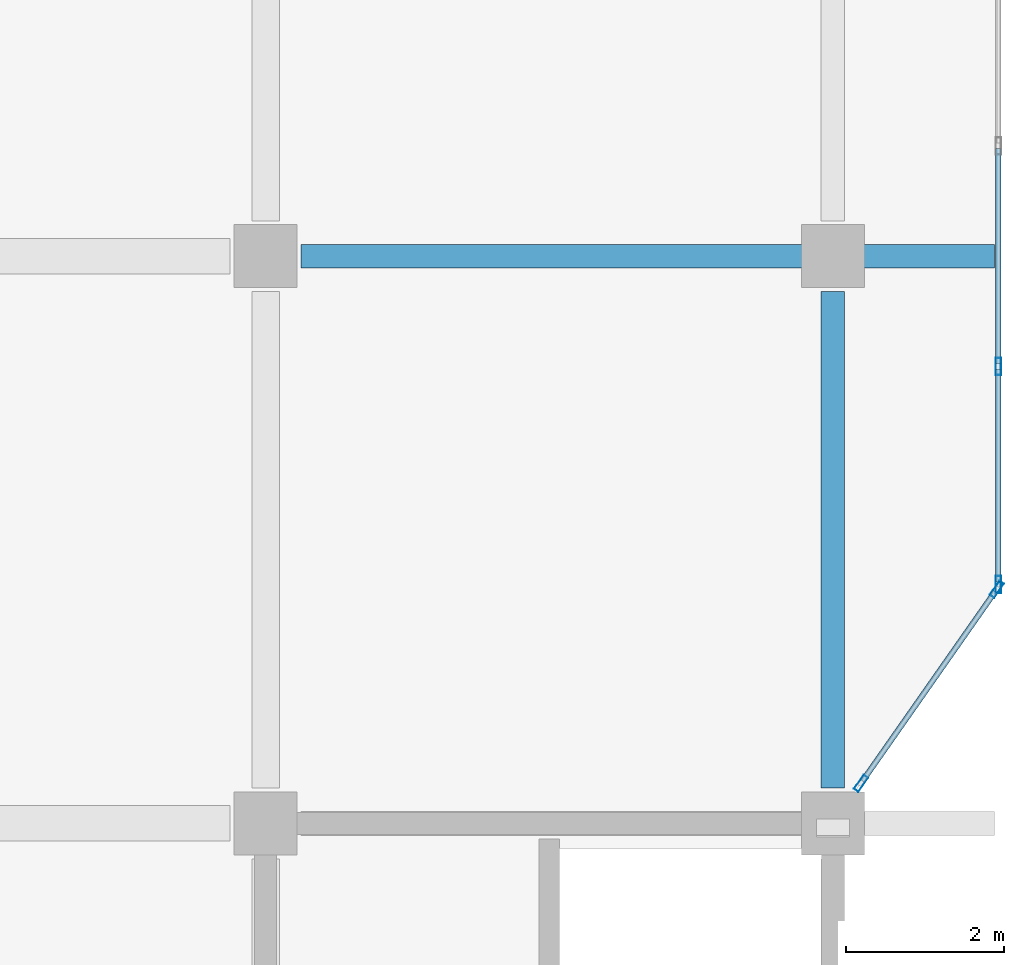
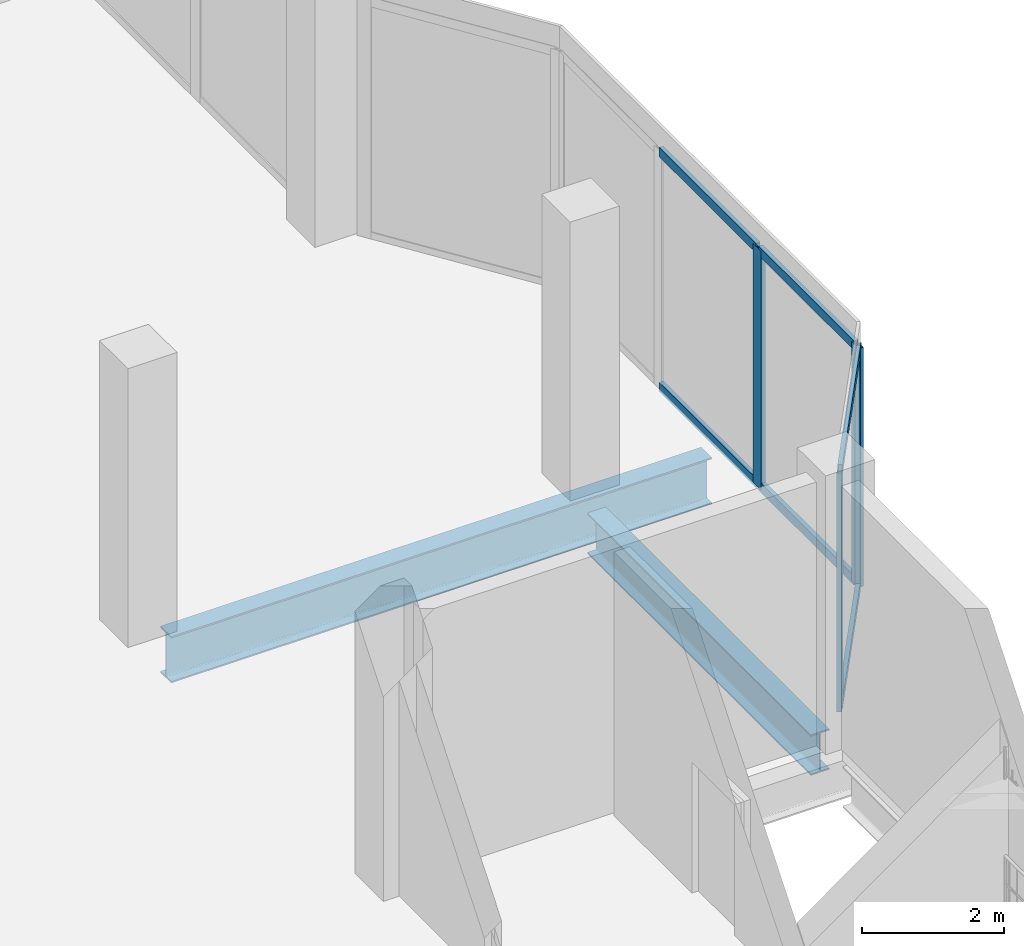
# One storey, part 47 of 99: 10 members, 2 beams, 2 elements without a shape of their own.
"""IFC4 building model written with IfcOpenShell, lengths in metres."""

from ifc_helpers import new_model, si_unit, direction, frame, origin, origin_2d, place, context, subcontext, project, spatial, hollow_rectangle, i_section, extrude, material, material_profile, profile_set, type_object, element, aggregate, save


model = new_model("IFC4")

# Units and contexts
model_context = context("Model", 3, precision=1e-05, world=origin(), true_north=direction((0.0, 1.0)))
body_context = subcontext(model_context, "Body", "Model", "MODEL_VIEW")
ifc_project = project(units=[si_unit("LENGTHUNIT", "METRE"), si_unit("AREAUNIT", "SQUARE_METRE"), si_unit("VOLUMEUNIT", "CUBIC_METRE"), si_unit("PLANEANGLEUNIT", "RADIAN"), si_unit("MASSUNIT", "GRAM", prefix="KILO")], contexts=[model_context])

# Site, building, storey
site_placement = place(None, origin())
site = spatial("IfcSite", under=ifc_project, at=site_placement, CompositionType="ELEMENT")
building_placement = place(site_placement, origin())
building = spatial("IfcBuilding", under=site, at=building_placement, Name="Vesperath Aquatics Centre", CompositionType="ELEMENT")
storey_placement = place(building_placement, frame((0.0, 0.0, 5.39990234375)))
storey = spatial("IfcBuildingStorey", under=building, at=storey_placement, Name="L01", CompositionType="ELEMENT", Elevation=5.39990234375)

# Beams
ifc_material_1 = material(Name="Steel Q355D", Category="steel")
ifc_material_profile_1 = material_profile(ifc_material_1, i_section(OverallWidth=0.300048828125, OverallDepth=0.800048828125, WebThickness=0.013916015625, FlangeThickness=0.02587890625, FilletRadius=0.028076171875, at=origin_2d()), Name="HN 800x300x14x26")
ifc_profile_set_1 = profile_set([ifc_material_profile_1], Name="Steel Q355D")
beam_type_1 = type_object("IfcBeamType", Name="BM-G07", PredefinedType="BEAM", material=ifc_profile_set_1)
beam_1_placement = place(storey_placement, frame((166.050048828125, 28.800048828125, -0.659912109375), z_axis=(1.0, 0.0, 0.0), x_axis=(0.0, 1.0, 0.0)))
element("IfcBeam", 1, at=beam_1_placement, inside=storey, type_object=beam_type_1, Name="Floor Girder B07 L01 E 24-25", PredefinedType="BEAM", context=body_context, shape_type="SweptSolid", body=[
    extrude(i_section(OverallWidth=0.300048828125, OverallDepth=0.800048828125, WebThickness=0.013916015625, FlangeThickness=0.02587890625, FilletRadius=0.028076171875, at=origin_2d()), origin(), (0.0, 0.0, 1.0), 8.800048828125),
])
ifc_material_2 = material(Name="Steel Q355C", Category="steel")
ifc_material_profile_2 = material_profile(ifc_material_2, i_section(OverallWidth=0.300048828125, OverallDepth=0.699951171875, WebThickness=0.012939453125, FlangeThickness=0.02392578125, FilletRadius=0.028076171875, at=origin_2d()), Name="HN 700x300x13x24")
ifc_profile_set_2 = profile_set([ifc_material_profile_2], Name="Steel Q355C")
beam_type_2 = type_object("IfcBeamType", Name="BM-G08", PredefinedType="BEAM", material=ifc_profile_set_2)
beam_2_placement = place(storey_placement, frame((172.800048828125, 22.050048828125, -0.60986328125), z_axis=(0.0, 1.0, 0.0), x_axis=(-1.0, 0.0, 0.0)))
element("IfcBeam", 2, at=beam_2_placement, inside=storey, type_object=beam_type_2, Name="Floor Girder B08 L01 25 D-E", PredefinedType="BEAM", context=body_context, shape_type="SweptSolid", body=[
    extrude(i_section(OverallWidth=0.300048828125, OverallDepth=0.699951171875, WebThickness=0.012939453125, FlangeThickness=0.02392578125, FilletRadius=0.028076171875, at=origin_2d()), origin(), (0.0, 0.0, 1.0), 6.300048828125),
])

# Curtain wall, members
ifc_material_3 = material(Name="Thermally broken anodised bronze aluminium curtain wall", Category="aluminium")
curtain_wall_type = type_object("IfcCurtainWallType", Name="CW-06", PredefinedType="NOTDEFINED", material=ifc_material_3)
curtain_wall_1_placement = place(storey_placement, origin())
curtain_wall_1 = element("IfcCurtainWall", 3, at=curtain_wall_1_placement, inside=storey, type_object=curtain_wall_type, Name="East Avenue Bow Oriel Curtain Wall L01-S", PredefinedType="NOTDEFINED")
ifc_material_4 = material(Name="Thermally broken anodised aluminium", Category="aluminium")
ifc_material_profile_3 = material_profile(ifc_material_4, hollow_rectangle(XDim=0.070068359375, YDim=0.219970703125, WallThickness=0.0048828125, at=origin_2d()), Name="CWM 70x220x5")
ifc_profile_set_3 = profile_set([ifc_material_profile_3], Name="Thermally broken anodised aluminium")
member_type_1 = type_object("IfcMemberType", Name="MB-CWM2", PredefinedType="MULLION", material=ifc_profile_set_3)
member_1_placement = place(storey_placement, frame((173.156005859375, 22.108642578125, 0.0), z_axis=(0.0, 0.0, 1.0), x_axis=(-0.819231920515, 0.57346234437, 0.0)))
member_1 = element("IfcMember", 4, at=member_1_placement, type_object=member_type_1, Name="CW06 mullion 1", PredefinedType="MULLION", context=body_context, shape_type="SweptSolid", body=[
    extrude(hollow_rectangle(XDim=0.070068359375, YDim=0.219970703125, WallThickness=0.0048828125, at=origin_2d()), origin(), (0.0, 0.0, 1.0), 4.110107421875),
])
member_2_placement = place(storey_placement, frame((174.8798828125, 24.5712890625, 0.0), z_axis=(0.0, 0.0, 1.0), x_axis=(-0.819231920515, 0.57346234437, 0.0)))
member_2 = element("IfcMember", 5, at=member_2_placement, type_object=member_type_1, Name="CW06 mullion 2", PredefinedType="MULLION", context=body_context, shape_type="SweptSolid", body=[
    extrude(hollow_rectangle(XDim=0.070068359375, YDim=0.219970703125, WallThickness=0.0048828125, at=origin_2d()), origin(), (0.0, 0.0, 1.0), 4.110107421875),
])

curtain_wall_2_placement = place(storey_placement, origin())
curtain_wall_2 = element("IfcCurtainWall", 6, at=curtain_wall_2_placement, inside=storey, type_object=curtain_wall_type, Name="East Avenue Bow Oriel Curtain Wall L01-C", PredefinedType="NOTDEFINED")
member_3_placement = place(storey_placement, frame((174.89990234375, 24.635009765625, 0.0), z_axis=(0.0, 0.0, 1.0), x_axis=(-1.0, 0.0, 0.0)))
member_3 = element("IfcMember", 7, at=member_3_placement, type_object=member_type_1, Name="CW06 mullion 1", PredefinedType="MULLION", context=body_context, shape_type="SweptSolid", body=[
    extrude(hollow_rectangle(XDim=0.070068359375, YDim=0.219970703125, WallThickness=0.0048828125, at=origin_2d()), origin(), (0.0, 0.0, 1.0), 4.110107421875),
])
member_4_placement = place(storey_placement, frame((174.89990234375, 27.39990234375, 0.0), z_axis=(0.0, 0.0, 1.0), x_axis=(-1.0, 0.0, 0.0)))
member_4 = element("IfcMember", 8, at=member_4_placement, type_object=member_type_1, Name="CW06 mullion 2", PredefinedType="MULLION", context=body_context, shape_type="SweptSolid", body=[
    extrude(hollow_rectangle(XDim=0.070068359375, YDim=0.219970703125, WallThickness=0.0048828125, at=origin_2d()), origin(), (0.0, 0.0, 1.0), 4.110107421875),
])

# Member
ifc_material_profile_4 = material_profile(ifc_material_4, hollow_rectangle(XDim=0.070068359375, YDim=0.159912109375, WallThickness=0.0048828125, at=origin_2d()), Name="CWT 70x160x5")
ifc_profile_set_4 = profile_set([ifc_material_profile_4], Name="Thermally broken anodised aluminium")
member_type_2 = type_object("IfcMemberType", Name="MB-CWT2", PredefinedType="USERDEFINED", material=ifc_profile_set_4)
member_5_placement = place(storey_placement, frame((173.176025390625, 22.137451171875, 0.03515625), z_axis=(0.573495827706, 0.81920848116, 0.0), x_axis=(-0.81920848116, 0.573495827706, 0.0)))
member_5 = element("IfcMember", 9, at=member_5_placement, type_object=member_type_2, Name="CW06 transom 1.1", ObjectType="TRANSOM", PredefinedType="USERDEFINED", context=body_context, shape_type="SweptSolid", body=[
    extrude(hollow_rectangle(XDim=0.070068359375, YDim=0.159912109375, WallThickness=0.0048828125, at=origin_2d()), origin(), (0.0, 0.0, 1.0), 2.93603515625),
])

member_6_placement = place(storey_placement, frame((173.176025390625, 22.137451171875, 4.0751953125), z_axis=(0.573495827706, 0.81920848116, 0.0), x_axis=(-0.81920848116, 0.573495827706, 0.0)))
member_6 = element("IfcMember", 10, at=member_6_placement, type_object=member_type_2, Name="CW06 transom 1.2", ObjectType="TRANSOM", PredefinedType="USERDEFINED", context=body_context, shape_type="SweptSolid", body=[
    extrude(hollow_rectangle(XDim=0.070068359375, YDim=0.159912109375, WallThickness=0.0048828125, at=origin_2d()), origin(), (0.0, 0.0, 1.0), 2.93603515625),
])

aggregate(curtain_wall_1, [member_1, member_2, member_5, member_6])

member_7_placement = place(storey_placement, frame((174.89990234375, 24.669921875, 0.03515625), z_axis=(0.0, 1.0, 0.0), x_axis=(-1.0, 0.0, 0.0)))
member_7 = element("IfcMember", 11, at=member_7_placement, type_object=member_type_2, Name="CW06 transom 1.1", ObjectType="TRANSOM", PredefinedType="USERDEFINED", context=body_context, shape_type="SweptSolid", body=[
    extrude(hollow_rectangle(XDim=0.070068359375, YDim=0.159912109375, WallThickness=0.0048828125, at=origin_2d()), origin(), (0.0, 0.0, 1.0), 2.695068359375),
])

member_8_placement = place(storey_placement, frame((174.89990234375, 24.669921875, 4.0751953125), z_axis=(0.0, 1.0, 0.0), x_axis=(-1.0, 0.0, 0.0)))
member_8 = element("IfcMember", 12, at=member_8_placement, type_object=member_type_2, Name="CW06 transom 1.2", ObjectType="TRANSOM", PredefinedType="USERDEFINED", context=body_context, shape_type="SweptSolid", body=[
    extrude(hollow_rectangle(XDim=0.070068359375, YDim=0.159912109375, WallThickness=0.0048828125, at=origin_2d()), origin(), (0.0, 0.0, 1.0), 2.695068359375),
])

member_9_placement = place(storey_placement, frame((174.89990234375, 27.43505859375, 0.03515625), z_axis=(0.0, 1.0, 0.0), x_axis=(-1.0, 0.0, 0.0)))
member_9 = element("IfcMember", 13, at=member_9_placement, type_object=member_type_2, Name="CW06 transom 2.1", ObjectType="TRANSOM", PredefinedType="USERDEFINED", context=body_context, shape_type="SweptSolid", body=[
    extrude(hollow_rectangle(XDim=0.070068359375, YDim=0.159912109375, WallThickness=0.0048828125, at=origin_2d()), origin(), (0.0, 0.0, 1.0), 2.72998046875),
])

member_10_placement = place(storey_placement, frame((174.89990234375, 27.43505859375, 4.0751953125), z_axis=(0.0, 1.0, 0.0), x_axis=(-1.0, 0.0, 0.0)))
member_10 = element("IfcMember", 14, at=member_10_placement, type_object=member_type_2, Name="CW06 transom 2.2", ObjectType="TRANSOM", PredefinedType="USERDEFINED", context=body_context, shape_type="SweptSolid", body=[
    extrude(hollow_rectangle(XDim=0.070068359375, YDim=0.159912109375, WallThickness=0.0048828125, at=origin_2d()), origin(), (0.0, 0.0, 1.0), 2.72998046875),
])

aggregate(curtain_wall_2, [member_3, member_4, member_7, member_8, member_9, member_10])

save(model, "model.ifc")
